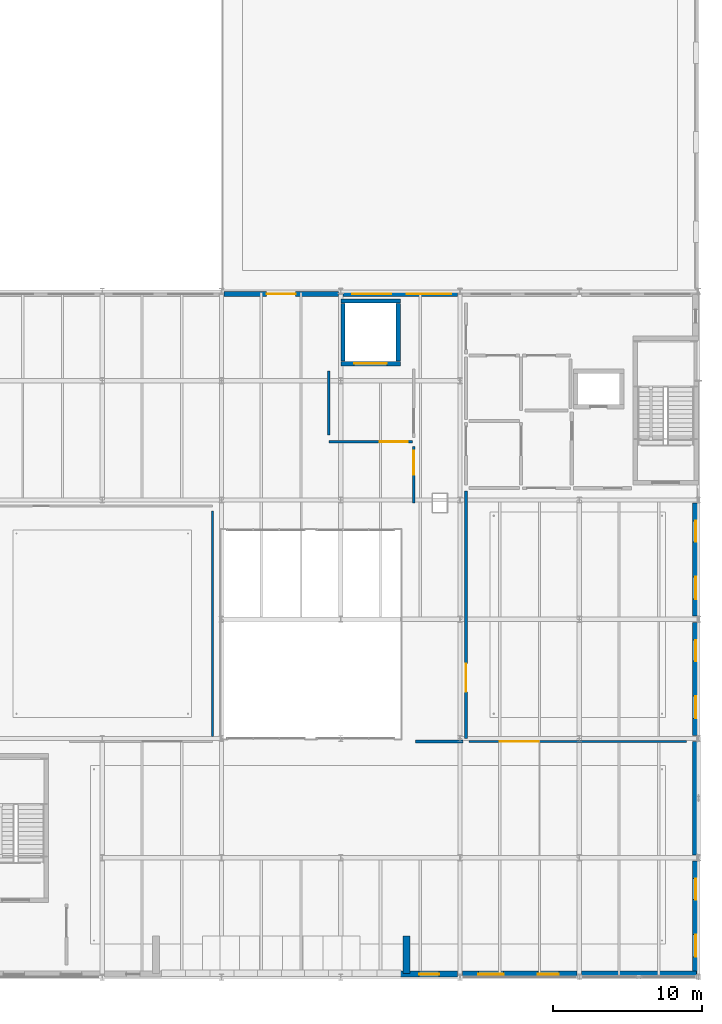
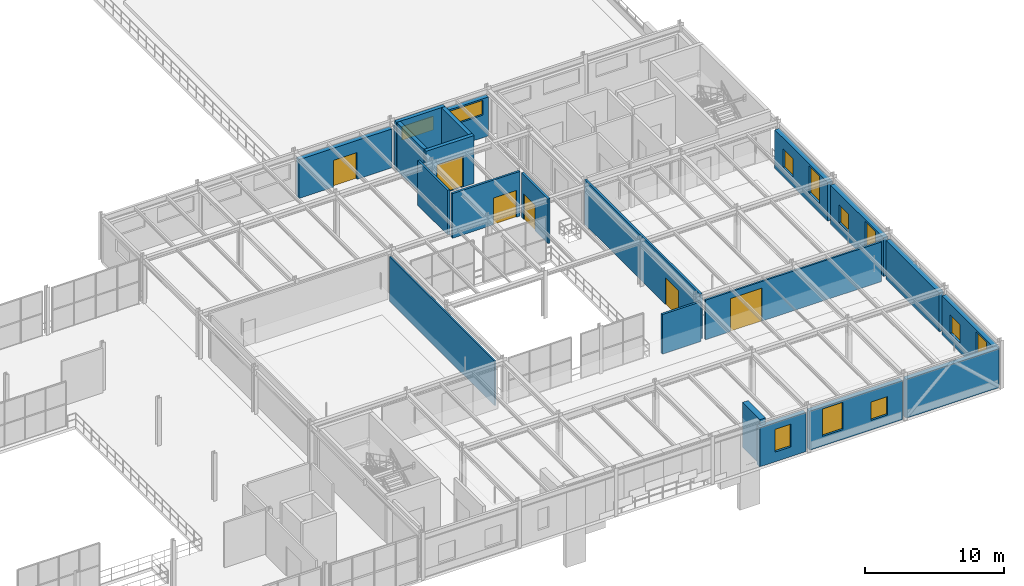
# One storey, part 42 of 67: 21 walls, 11 windows, 6 doors, 17 openings.
"""IFC4 building model written with IfcOpenShell, lengths in metres."""

from ifc_helpers import new_model, si_unit, direction, frame, frame_2d, origin, place, context, subcontext, project, spatial, rectangle, extrude, material, layer, layer_set, type_object, element, fill, save


model = new_model("IFC4")

# Units and contexts
model_context = context("Model", 3, precision=1e-05, world=origin(), true_north=direction((0.0, 1.0)))
body_context = subcontext(model_context, "Body", "Model", "MODEL_VIEW")
ifc_project = project(units=[si_unit("LENGTHUNIT", "METRE"), si_unit("AREAUNIT", "SQUARE_METRE"), si_unit("VOLUMEUNIT", "CUBIC_METRE"), si_unit("PLANEANGLEUNIT", "RADIAN"), si_unit("MASSUNIT", "GRAM", prefix="KILO")], contexts=[model_context])

# Site, building, storey
site_placement = place(None, origin())
site = spatial("IfcSite", under=ifc_project, at=site_placement, CompositionType="ELEMENT")
building_placement = place(site_placement, origin())
building = spatial("IfcBuilding", under=site, at=building_placement, Name="Sundkrona Museum", CompositionType="ELEMENT")
storey_placement = place(building_placement, frame((0.0, 0.0, 21.800048828125)))
storey = spatial("IfcBuildingStorey", under=building, at=storey_placement, Name="L04", CompositionType="ELEMENT", Elevation=21.800048828125)

# Wall, opening, door
ifc_material_1 = material(Name="Concrete C40/50", Category="concrete")
ifc_layer_1 = layer(ifc_material_1, 0.300048828125)
ifc_layer_set_1 = layer_set([ifc_layer_1], Name="Concrete C40/50")
wall_type_1 = type_object("IfcWallType", Name="W-CORE-300", PredefinedType="SHEAR", material=ifc_layer_set_1)
wall_1_placement = place(storey_placement, frame((144.0, 41.14990234375, 0.0), z_axis=(0.0, 0.0, 1.0), x_axis=(1.0, 0.0, 0.0)))
wall_1 = element("IfcWall", 1, at=wall_1_placement, inside=storey, type_object=wall_type_1, Name="L04 GL-1 Lift Shaft Wall South", PredefinedType="SHEAR", context=body_context, shape_type="SweptSolid", body=[
    extrude(rectangle(XDim=4.0, YDim=0.300048828125, at=frame_2d((2.0, 0.0))), origin(), (0.0, 0.0, 1.0), 4.199951171875),
])
opening_1_placement = place(wall_1_placement, frame((0.89990234375, 0.0, 0.0)))
opening_1 = element("IfcOpeningElement", 2, at=opening_1_placement, cuts=wall_1, Name="Opening LD-GL", PredefinedType="OPENING", context=body_context, shape_type="SweptSolid", body=[
    extrude(rectangle(XDim=2.199951171875, YDim=2.699951171875, at=frame_2d((1.10009765625, 1.35009765625))), frame((0.0, 0.159912109375, 0.0), z_axis=(0.0, -1.0, 0.0), x_axis=(1.0, 0.0, 0.0)), (0.0, 0.0, 1.0), 0.320068359375),
])
ifc_material_2 = material(Name="Heavy Stainless Steel Goods Lift Door", Category="steel")
door_type_1 = type_object("IfcDoorType", Name="LD-GL", OperationType="DOUBLE_DOOR_SLIDING", PredefinedType="DOOR", material=ifc_material_2)
door_1_placement = place(opening_1_placement, origin())
door_1 = element("IfcDoor", 3, at=door_1_placement, inside=storey, type_object=door_type_1, Name="L04 Goods Lift Landing Door DR-LIFT-GL-1-L04", OperationType="DOUBLE_DOOR_SLIDING", OverallHeight=2.699951171875, OverallWidth=2.199951171875, PredefinedType="DOOR", context=body_context, shape_type="SweptSolid", body=[
    extrude(rectangle(XDim=2.199951171875, YDim=2.699951171875, at=frame_2d((1.10009765625, 1.35009765625))), frame((0.0, 0.02490234375, 0.0), z_axis=(0.0, -1.0, 0.0), x_axis=(1.0, 0.0, 0.0)), (0.0, 0.0, 1.0), 0.050048828125),
])
fill(opening_1, door_1)

# Walls
wall_2_placement = place(storey_placement, frame((144.0, 45.35009765625, 0.0), z_axis=(0.0, 0.0, 1.0), x_axis=(1.0, 0.0, 0.0)))
element("IfcWall", 4, at=wall_2_placement, inside=storey, type_object=wall_type_1, Name="L04 GL-1 Lift Shaft Wall North", PredefinedType="SHEAR", context=body_context, shape_type="SweptSolid", body=[
    extrude(rectangle(XDim=4.0, YDim=0.300048828125, at=frame_2d((2.0, 0.0))), origin(), (0.0, 0.0, 1.0), 4.199951171875),
])
for number, where, z_axis, x_axis, name in (
    (5, (144.14990234375, 41.31005859375, 0.0), (0.0, 0.0, 1.0), (0.0, 1.0, 0.0), "L04 GL-1 Lift Shaft Wall West"),
    (6, (147.85009765625, 41.31005859375, 0.0), (0.0, 0.0, 1.0), (0.0, 1.0, 0.0), "L04 GL-1 Lift Shaft Wall East"),
):
    element("IfcWall", number, at=place(storey_placement, frame(where, z_axis=z_axis, x_axis=x_axis)), inside=storey, type_object=wall_type_1, Name=name, PredefinedType="SHEAR", context=body_context, shape_type="SweptSolid", body=[
        extrude(rectangle(XDim=3.8798828125, YDim=0.300048828125, at=frame_2d((1.93994140625, 0.0))), origin(), (0.0, 0.0, 1.0), 4.199951171875),
    ])

# Wall, openings, windows
ifc_material_3 = material(Name="Scanian Polychrome Clay Brickwork 390 mm", Category="masonry")
ifc_layer_2 = layer(ifc_material_3, 0.389892578125)
ifc_layer_set_2 = layer_set([ifc_layer_2], Name="Scanian Polychrome Clay Brickwork 390 mm")
wall_type_2 = type_object("IfcWallType", Name="W-EX-390", PredefinedType="SOLIDWALL", material=ifc_layer_set_2)
wall_3_placement = place(storey_placement, frame((159.847900390625, 0.195068359375, 0.0), z_axis=(0.0, 0.0, 1.0), x_axis=(-1.0, 0.0, 0.0)))
wall_3 = element("IfcWall", 7, at=wall_3_placement, inside=storey, type_object=wall_type_2, Name="L04 Facade Wall 0053", PredefinedType="SOLIDWALL", context=body_context, shape_type="SweptSolid", body=[
    extrude(rectangle(XDim=7.69580078125, YDim=0.389892578125, at=frame_2d((3.847900390625, 0.0))), origin(), (0.0, 0.0, 1.0), 3.4150390625),
])
opening_2_placement = place(wall_3_placement, frame((1.22412109375, 0.0, 0.85009765625)))
opening_2 = element("IfcOpeningElement", 8, at=opening_2_placement, cuts=wall_3, Name="Opening WN-LB-140x160", PredefinedType="OPENING", context=body_context, shape_type="SweptSolid", body=[
    extrude(rectangle(XDim=1.39990234375, YDim=1.60009765625, at=frame_2d((0.699951171875, 0.800048828125))), frame((0.0, 0.204833984375, 0.0), z_axis=(0.0, -1.0, 0.0), x_axis=(1.0, 0.0, 0.0)), (0.0, 0.0, 1.0), 0.409912109375),
])
opening_3_placement = place(wall_3_placement, frame((4.922119140625, 0.0, 0.85009765625)))
opening_3 = element("IfcOpeningElement", 9, at=opening_3_placement, cuts=wall_3, Name="Opening WN-GL-170x240", PredefinedType="OPENING", context=body_context, shape_type="SweptSolid", body=[
    extrude(rectangle(XDim=1.699951171875, YDim=2.39990234375, at=frame_2d((0.85009765625, 1.199951171875))), frame((0.0, 0.204833984375, 0.0), z_axis=(0.0, -1.0, 0.0), x_axis=(1.0, 0.0, 0.0)), (0.0, 0.0, 1.0), 0.409912109375),
])
ifc_material_4 = material(Name="Triple Low-E Argon Glazing in Bronze-Anodised Aluminium", Category="aluminium")
window_type_1 = type_object("IfcWindowType", Name="WN-GL-170x240", PartitioningType="DOUBLE_PANEL_VERTICAL", PredefinedType="WINDOW", material=ifc_material_4)
window_1_placement = place(opening_3_placement, origin())
window_1 = element("IfcWindow", 10, at=window_1_placement, inside=storey, type_object=window_type_1, Name="L04 Finned wing wide gallery window 1700x2400 WIN-L04-0071", OverallHeight=2.39990234375, OverallWidth=1.699951171875, PartitioningType="DOUBLE_PANEL_VERTICAL", PredefinedType="WINDOW", context=body_context, shape_type="SweptSolid", body=[
    extrude(rectangle(XDim=1.699951171875, YDim=2.39990234375, at=frame_2d((0.85009765625, 1.199951171875))), frame((0.0, 0.030029296875, 0.0), z_axis=(0.0, -1.0, 0.0), x_axis=(1.0, 0.0, 0.0)), (0.0, 0.0, 1.0), 0.06005859375),
])
fill(opening_3, window_1)
window_type_2 = type_object("IfcWindowType", Name="WN-LB-140x160", PartitioningType="SINGLE_PANEL", PredefinedType="WINDOW", material=ifc_material_4)
window_2_placement = place(opening_2_placement, origin())
window_2 = element("IfcWindow", 11, at=window_2_placement, inside=storey, type_object=window_type_2, Name="L04 Curatorial study window 1400x1600 WIN-L04-0070", OverallHeight=1.60009765625, OverallWidth=1.39990234375, PartitioningType="SINGLE_PANEL", PredefinedType="WINDOW", context=body_context, shape_type="SweptSolid", body=[
    extrude(rectangle(XDim=1.39990234375, YDim=1.60009765625, at=frame_2d((0.699951171875, 0.800048828125))), frame((0.0, 0.030029296875, 0.0), z_axis=(0.0, -1.0, 0.0), x_axis=(1.0, 0.0, 0.0)), (0.0, 0.0, 1.0), 0.06005859375),
])
fill(opening_2, window_2)

# Wall
wall_4_placement = place(storey_placement, frame((167.847900390625, 0.195068359375, 0.0), z_axis=(0.0, 0.0, 1.0), x_axis=(-1.0, 0.0, 0.0)))
element("IfcWall", 12, at=wall_4_placement, inside=storey, type_object=wall_type_2, Name="L04 Facade Wall 0054", PredefinedType="SOLIDWALL", context=body_context, shape_type="SweptSolid", body=[
    extrude(rectangle(XDim=7.69580078125, YDim=0.389892578125, at=frame_2d((3.847900390625, 0.0))), origin(), (0.0, 0.0, 1.0), 3.4150390625),
])

# Wall, opening, window
wall_5_placement = place(storey_placement, frame((151.847900390625, 0.195068359375, 0.0), z_axis=(0.0, 0.0, 1.0), x_axis=(-1.0, 0.0, 0.0)))
wall_5 = element("IfcWall", 13, at=wall_5_placement, inside=storey, type_object=wall_type_2, Name="L04 Facade Wall 0055", PredefinedType="SOLIDWALL", context=body_context, shape_type="SweptSolid", body=[
    extrude(rectangle(XDim=3.837890625, YDim=0.389892578125, at=frame_2d((1.9189453125, 0.0))), origin(), (0.0, 0.0, 1.0), 3.4150390625),
])
opening_4_placement = place(wall_5_placement, frame((1.243896484375, 0.0, 0.85009765625)))
opening_4 = element("IfcOpeningElement", 14, at=opening_4_placement, cuts=wall_5, Name="Opening WN-OC-135x200", PredefinedType="OPENING", context=body_context, shape_type="SweptSolid", body=[
    extrude(rectangle(XDim=1.35009765625, YDim=2.0, at=frame_2d((0.675048828125, 1.0))), frame((0.0, 0.204833984375, 0.0), z_axis=(0.0, -1.0, 0.0), x_axis=(1.0, 0.0, 0.0)), (0.0, 0.0, 1.0), 0.409912109375),
])
window_type_3 = type_object("IfcWindowType", Name="WN-OC-135x200", PartitioningType="SINGLE_PANEL", PredefinedType="WINDOW", material=ifc_material_4)
window_3_placement = place(opening_4_placement, origin())
window_3 = element("IfcWindow", 15, at=window_3_placement, inside=storey, type_object=window_type_3, Name="L04 Oculus cheek-reveal side window 1350x2000 WIN-L04-0072", OverallHeight=2.0, OverallWidth=1.35009765625, PartitioningType="SINGLE_PANEL", PredefinedType="WINDOW", context=body_context, shape_type="SweptSolid", body=[
    extrude(rectangle(XDim=1.35009765625, YDim=2.0, at=frame_2d((0.675048828125, 1.0))), frame((0.0, 0.030029296875, 0.0), z_axis=(0.0, -1.0, 0.0), x_axis=(1.0, 0.0, 0.0)), (0.0, 0.0, 1.0), 0.06005859375),
])
fill(opening_4, window_3)

# Wall, openings, windows
wall_6_placement = place(storey_placement, frame((167.804931640625, 7.798095703125, 0.0), z_axis=(0.0, 0.0, 1.0), x_axis=(0.0, -1.0, 0.0)))
wall_6 = element("IfcWall", 16, at=wall_6_placement, inside=storey, type_object=wall_type_2, Name="L04 Facade Wall 0056", PredefinedType="SOLIDWALL", context=body_context, shape_type="SweptSolid", body=[
    extrude(rectangle(XDim=7.59619140625, YDim=0.389892578125, at=frame_2d((3.798095703125, 0.0))), origin(), (0.0, 0.0, 1.0), 3.4150390625),
])
opening_5_placement = place(wall_6_placement, frame((1.198974609375, 0.0, 0.85009765625)))
opening_5 = element("IfcOpeningElement", 17, at=opening_5_placement, cuts=wall_6, Name="Opening WN-LB-140x160", PredefinedType="OPENING", context=body_context, shape_type="SweptSolid", body=[
    extrude(rectangle(XDim=1.39990234375, YDim=1.60009765625, at=frame_2d((0.699951171875, 0.800048828125))), frame((0.0, 0.204833984375, 0.0), z_axis=(0.0, -1.0, 0.0), x_axis=(1.0, 0.0, 0.0)), (0.0, 0.0, 1.0), 0.409912109375),
])
opening_6_placement = place(wall_6_placement, frame((4.947021484375, 0.0, 0.85009765625)))
opening_6 = element("IfcOpeningElement", 18, at=opening_6_placement, cuts=wall_6, Name="Opening WN-GL-150x240", PredefinedType="OPENING", context=body_context, shape_type="SweptSolid", body=[
    extrude(rectangle(XDim=1.5, YDim=2.39990234375, at=frame_2d((0.75, 1.199951171875))), frame((0.0, 0.204833984375, 0.0), z_axis=(0.0, -1.0, 0.0), x_axis=(1.0, 0.0, 0.0)), (0.0, 0.0, 1.0), 0.409912109375),
])
window_type_4 = type_object("IfcWindowType", Name="WN-GL-150x240", PartitioningType="SINGLE_PANEL", PredefinedType="WINDOW", material=ifc_material_4)
window_4_placement = place(opening_6_placement, origin())
window_4 = element("IfcWindow", 19, at=window_4_placement, inside=storey, type_object=window_type_4, Name="L04 Finned wing deep-reveal gallery window 1500x2400 WIN-L04-0074", OverallHeight=2.39990234375, OverallWidth=1.5, PartitioningType="SINGLE_PANEL", PredefinedType="WINDOW", context=body_context, shape_type="SweptSolid", body=[
    extrude(rectangle(XDim=1.5, YDim=2.39990234375, at=frame_2d((0.75, 1.199951171875))), frame((0.0, 0.030029296875, 0.0), z_axis=(0.0, -1.0, 0.0), x_axis=(1.0, 0.0, 0.0)), (0.0, 0.0, 1.0), 0.06005859375),
])
fill(opening_6, window_4)
window_5_placement = place(opening_5_placement, origin())
window_5 = element("IfcWindow", 20, at=window_5_placement, inside=storey, type_object=window_type_2, Name="L04 Curatorial study window 1400x1600 WIN-L04-0073", OverallHeight=1.60009765625, OverallWidth=1.39990234375, PartitioningType="SINGLE_PANEL", PredefinedType="WINDOW", context=body_context, shape_type="SweptSolid", body=[
    extrude(rectangle(XDim=1.39990234375, YDim=1.60009765625, at=frame_2d((0.699951171875, 0.800048828125))), frame((0.0, 0.030029296875, 0.0), z_axis=(0.0, -1.0, 0.0), x_axis=(1.0, 0.0, 0.0)), (0.0, 0.0, 1.0), 0.06005859375),
])
fill(opening_5, window_5)

# Wall
wall_7_placement = place(storey_placement, frame((167.804931640625, 15.798095703125, 0.0), z_axis=(0.0, 0.0, 1.0), x_axis=(0.0, -1.0, 0.0)))
element("IfcWall", 21, at=wall_7_placement, inside=storey, type_object=wall_type_2, Name="L04 Facade Wall 0057", PredefinedType="SOLIDWALL", context=body_context, shape_type="SweptSolid", body=[
    extrude(rectangle(XDim=7.59619140625, YDim=0.389892578125, at=frame_2d((3.798095703125, 0.0))), origin(), (0.0, 0.0, 1.0), 3.4150390625),
])

# Wall, openings, windows
wall_8_placement = place(storey_placement, frame((167.804931640625, 23.798095703125, 0.0), z_axis=(0.0, 0.0, 1.0), x_axis=(0.0, -1.0, 0.0)))
wall_8 = element("IfcWall", 22, at=wall_8_placement, inside=storey, type_object=wall_type_2, Name="L04 Facade Wall 0058", PredefinedType="SOLIDWALL", context=body_context, shape_type="SweptSolid", body=[
    extrude(rectangle(XDim=7.59619140625, YDim=0.389892578125, at=frame_2d((3.798095703125, 0.0))), origin(), (0.0, 0.0, 1.0), 3.4150390625),
])
opening_7_placement = place(wall_8_placement, frame((1.198974609375, 0.0, 0.85009765625)))
opening_7 = element("IfcOpeningElement", 23, at=opening_7_placement, cuts=wall_8, Name="Opening WN-LB-140x160", PredefinedType="OPENING", context=body_context, shape_type="SweptSolid", body=[
    extrude(rectangle(XDim=1.39990234375, YDim=1.60009765625, at=frame_2d((0.699951171875, 0.800048828125))), frame((0.0, 0.204833984375, 0.0), z_axis=(0.0, -1.0, 0.0), x_axis=(1.0, 0.0, 0.0)), (0.0, 0.0, 1.0), 0.409912109375),
])
opening_8_placement = place(wall_8_placement, frame((4.947021484375, 0.0, 0.85009765625)))
opening_8 = element("IfcOpeningElement", 24, at=opening_8_placement, cuts=wall_8, Name="Opening WN-GL-150x240", PredefinedType="OPENING", context=body_context, shape_type="SweptSolid", body=[
    extrude(rectangle(XDim=1.5, YDim=2.39990234375, at=frame_2d((0.75, 1.199951171875))), frame((0.0, 0.204833984375, 0.0), z_axis=(0.0, -1.0, 0.0), x_axis=(1.0, 0.0, 0.0)), (0.0, 0.0, 1.0), 0.409912109375),
])
window_6_placement = place(opening_8_placement, origin())
window_6 = element("IfcWindow", 25, at=window_6_placement, inside=storey, type_object=window_type_4, Name="L04 Finned wing deep-reveal gallery window 1500x2400 WIN-L04-0076", OverallHeight=2.39990234375, OverallWidth=1.5, PartitioningType="SINGLE_PANEL", PredefinedType="WINDOW", context=body_context, shape_type="SweptSolid", body=[
    extrude(rectangle(XDim=1.5, YDim=2.39990234375, at=frame_2d((0.75, 1.199951171875))), frame((0.0, 0.030029296875, 0.0), z_axis=(0.0, -1.0, 0.0), x_axis=(1.0, 0.0, 0.0)), (0.0, 0.0, 1.0), 0.06005859375),
])
fill(opening_8, window_6)
window_7_placement = place(opening_7_placement, origin())
window_7 = element("IfcWindow", 26, at=window_7_placement, inside=storey, type_object=window_type_2, Name="L04 Curatorial study window 1400x1600 WIN-L04-0075", OverallHeight=1.60009765625, OverallWidth=1.39990234375, PartitioningType="SINGLE_PANEL", PredefinedType="WINDOW", context=body_context, shape_type="SweptSolid", body=[
    extrude(rectangle(XDim=1.39990234375, YDim=1.60009765625, at=frame_2d((0.699951171875, 0.800048828125))), frame((0.0, 0.030029296875, 0.0), z_axis=(0.0, -1.0, 0.0), x_axis=(1.0, 0.0, 0.0)), (0.0, 0.0, 1.0), 0.06005859375),
])
fill(opening_7, window_7)

wall_9_placement = place(storey_placement, frame((167.804931640625, 31.798095703125, 0.0), z_axis=(0.0, 0.0, 1.0), x_axis=(0.0, -1.0, 0.0)))
wall_9 = element("IfcWall", 27, at=wall_9_placement, inside=storey, type_object=wall_type_2, Name="L04 Facade Wall 0059", PredefinedType="SOLIDWALL", context=body_context, shape_type="SweptSolid", body=[
    extrude(rectangle(XDim=7.59619140625, YDim=0.389892578125, at=frame_2d((3.798095703125, 0.0))), origin(), (0.0, 0.0, 1.0), 3.4150390625),
])
opening_9_placement = place(wall_9_placement, frame((1.198974609375, 0.0, 0.85009765625)))
opening_9 = element("IfcOpeningElement", 28, at=opening_9_placement, cuts=wall_9, Name="Opening WN-LB-140x160", PredefinedType="OPENING", context=body_context, shape_type="SweptSolid", body=[
    extrude(rectangle(XDim=1.39990234375, YDim=1.60009765625, at=frame_2d((0.699951171875, 0.800048828125))), frame((0.0, 0.204833984375, 0.0), z_axis=(0.0, -1.0, 0.0), x_axis=(1.0, 0.0, 0.0)), (0.0, 0.0, 1.0), 0.409912109375),
])
opening_10_placement = place(wall_9_placement, frame((4.947021484375, 0.0, 0.85009765625)))
opening_10 = element("IfcOpeningElement", 29, at=opening_10_placement, cuts=wall_9, Name="Opening WN-GL-150x240", PredefinedType="OPENING", context=body_context, shape_type="SweptSolid", body=[
    extrude(rectangle(XDim=1.5, YDim=2.39990234375, at=frame_2d((0.75, 1.199951171875))), frame((0.0, 0.204833984375, 0.0), z_axis=(0.0, -1.0, 0.0), x_axis=(1.0, 0.0, 0.0)), (0.0, 0.0, 1.0), 0.409912109375),
])
window_8_placement = place(opening_10_placement, origin())
window_8 = element("IfcWindow", 30, at=window_8_placement, inside=storey, type_object=window_type_4, Name="L04 Finned wing deep-reveal gallery window 1500x2400 WIN-L04-0078", OverallHeight=2.39990234375, OverallWidth=1.5, PartitioningType="SINGLE_PANEL", PredefinedType="WINDOW", context=body_context, shape_type="SweptSolid", body=[
    extrude(rectangle(XDim=1.5, YDim=2.39990234375, at=frame_2d((0.75, 1.199951171875))), frame((0.0, 0.030029296875, 0.0), z_axis=(0.0, -1.0, 0.0), x_axis=(1.0, 0.0, 0.0)), (0.0, 0.0, 1.0), 0.06005859375),
])
fill(opening_10, window_8)
window_9_placement = place(opening_9_placement, origin())
window_9 = element("IfcWindow", 31, at=window_9_placement, inside=storey, type_object=window_type_2, Name="L04 Curatorial study window 1400x1600 WIN-L04-0077", OverallHeight=1.60009765625, OverallWidth=1.39990234375, PartitioningType="SINGLE_PANEL", PredefinedType="WINDOW", context=body_context, shape_type="SweptSolid", body=[
    extrude(rectangle(XDim=1.39990234375, YDim=1.60009765625, at=frame_2d((0.699951171875, 0.800048828125))), frame((0.0, 0.030029296875, 0.0), z_axis=(0.0, -1.0, 0.0), x_axis=(1.0, 0.0, 0.0)), (0.0, 0.0, 1.0), 0.06005859375),
])
fill(opening_9, window_9)

# Walls
ifc_material_5 = material(Name="Danian Limestone Ashlar Masonry 480 mm", Category="masonry")
ifc_layer_3 = layer(ifc_material_5, 0.47998046875)
ifc_layer_set_3 = layer_set([ifc_layer_3], Name="Danian Limestone Ashlar Masonry 480 mm")
wall_type_3 = type_object("IfcWallType", Name="W-LIM-480", PredefinedType="SOLIDWALL", material=ifc_layer_set_3)
wall_10_placement = place(storey_placement, frame((148.39990234375, 0.239990234375, 0.0), z_axis=(0.0, 0.0, 1.0), x_axis=(0.0, 1.0, 0.0)))
element("IfcWall", 32, at=wall_10_placement, inside=storey, type_object=wall_type_3, Name="L04 Oculus Deep Reveal East Wall", PredefinedType="SOLIDWALL", context=body_context, shape_type="SweptSolid", body=[
    extrude(rectangle(XDim=2.510009765625, YDim=0.47998046875, at=frame_2d((1.2548828125, 0.0))), origin(), (0.0, 0.0, 1.0), 3.93994140625),
])
ifc_material_6 = material(Name="Gypsum metal-stud Partition Board 125 mm", Category="other")
ifc_layer_4 = layer(ifc_material_6, 0.125)
ifc_layer_set_4 = layer_set([ifc_layer_4], Name="Gypsum metal-stud Partition Board 125 mm")
wall_type_4 = type_object("IfcWallType", Name="W-PT-125", PredefinedType="PARTITIONING", material=ifc_layer_set_4)
wall_11_placement = place(storey_placement, frame((135.39990234375, 16.14990234375, 0.0), z_axis=(0.0, 0.0, 1.0), x_axis=(0.0, 1.0, 0.0)))
element("IfcWall", 33, at=wall_11_placement, inside=storey, type_object=wall_type_4, Name="L04 Baltic Modernism Cabinet Enclosure Wall E", PredefinedType="PARTITIONING", context=body_context, shape_type="SweptSolid", body=[
    extrude(rectangle(XDim=15.10009765625, YDim=0.125, at=frame_2d((7.550048828125, 0.0))), origin(), (0.0, 0.0, 1.0), 3.919921875),
])

# Wall, opening, door
ifc_material_7 = material(Name="Acoustic Gypsum Partition Board 150 mm", Category="other")
ifc_layer_5 = layer(ifc_material_7, 0.14990234375)
ifc_layer_set_5 = layer_set([ifc_layer_5], Name="Acoustic Gypsum Partition Board 150 mm")
wall_type_5 = type_object("IfcWallType", Name="W-PT-150", PredefinedType="PARTITIONING", material=ifc_layer_set_5)
wall_12_placement = place(storey_placement, frame((152.60009765625, 15.800048828125, 0.0), z_axis=(0.0, 0.0, 1.0), x_axis=(1.0, 0.0, 0.0)))
wall_12 = element("IfcWall", 34, at=wall_12_placement, inside=storey, type_object=wall_type_5, Name="L04 Partition Nordic Landscape Painting Gallery / Contemporary Visual Arts Gallery", PredefinedType="PARTITIONING", context=body_context, shape_type="SweptSolid", body=[
    extrude(rectangle(XDim=14.599853515625, YDim=0.14990234375, at=frame_2d((7.2998046875, 0.0))), origin(), (0.0, 0.0, 1.0), 3.47998046875),
])
opening_11_placement = place(wall_12_placement, frame((2.081298828125, 0.0, 0.0)))
opening_11 = element("IfcOpeningElement", 35, at=opening_11_placement, cuts=wall_12, Name="Opening D-GAL-260", PredefinedType="OPENING", context=body_context, shape_type="SweptSolid", body=[
    extrude(rectangle(XDim=2.60009765625, YDim=2.89990234375, at=frame_2d((1.300048828125, 1.449951171875))), frame((0.0, 0.0849609375, 0.0), z_axis=(0.0, -1.0, 0.0), x_axis=(1.0, 0.0, 0.0)), (0.0, 0.0, 1.0), 0.169921875),
])
ifc_material_8 = material(Name="European Oak and Bronze Portal", Category="other")
door_type_2 = type_object("IfcDoorType", Name="D-GAL-260", OperationType="DOUBLE_DOOR_DOUBLE_SWING", PredefinedType="DOOR", material=ifc_material_8)
door_2_placement = place(opening_11_placement, origin())
door_2 = element("IfcDoor", 36, at=door_2_placement, inside=storey, type_object=door_type_2, Name="L04 Interior Door DR-ADJ-L04-0198", OperationType="DOUBLE_DOOR_DOUBLE_SWING", OverallHeight=2.89990234375, OverallWidth=2.60009765625, PredefinedType="DOOR", context=body_context, shape_type="SweptSolid", body=[
    extrude(rectangle(XDim=2.60009765625, YDim=2.89990234375, at=frame_2d((1.300048828125, 1.449951171875))), frame((0.0, 0.02490234375, 0.0), z_axis=(0.0, -1.0, 0.0), x_axis=(1.0, 0.0, 0.0)), (0.0, 0.0, 1.0), 0.050048828125),
])
fill(opening_11, door_2)

ifc_material_9 = material(Name="Fire-rated Gypsum Partition Board 175 mm", Category="other")
ifc_layer_6 = layer(ifc_material_9, 0.175048828125)
ifc_layer_set_6 = layer_set([ifc_layer_6], Name="Fire-rated Gypsum Partition Board 175 mm")
wall_type_6 = type_object("IfcWallType", Name="W-PT-175", PredefinedType="PARTITIONING", material=ifc_layer_set_6)
wall_13_placement = place(storey_placement, frame((143.199951171875, 35.89990234375, 0.0), z_axis=(0.0, 0.0, 1.0), x_axis=(1.0, 0.0, 0.0)))
wall_13 = element("IfcWall", 37, at=wall_13_placement, inside=storey, type_object=wall_type_6, Name="L04 Partition Goods Lift Lobby / Atrium Crown Rim Concourse", PredefinedType="PARTITIONING", context=body_context, shape_type="SweptSolid", body=[
    extrude(rectangle(XDim=5.60009765625, YDim=0.175048828125, at=frame_2d((2.800048828125, 0.0))), origin(), (0.0, 0.0, 1.0), 3.919921875),
])
opening_12_placement = place(wall_13_placement, frame((3.39990234375, 0.0, 0.0)))
opening_12 = element("IfcOpeningElement", 38, at=opening_12_placement, cuts=wall_13, Name="Opening D-AUD-190", PredefinedType="OPENING", context=body_context, shape_type="SweptSolid", body=[
    extrude(rectangle(XDim=1.89990234375, YDim=2.35009765625, at=frame_2d((0.949951171875, 1.175048828125))), frame((0.0, 0.097412109375, 0.0), z_axis=(0.0, -1.0, 0.0), x_axis=(1.0, 0.0, 0.0)), (0.0, 0.0, 1.0), 0.195068359375),
])
ifc_material_10 = material(Name="Acoustic Oak Fire Door", Category="other")
door_type_3 = type_object("IfcDoorType", Name="D-AUD-190", OperationType="DOUBLE_DOOR_SINGLE_SWING", PredefinedType="DOOR", material=ifc_material_10)
door_3_placement = place(opening_12_placement, origin())
door_3 = element("IfcDoor", 39, at=door_3_placement, inside=storey, type_object=door_type_3, Name="L04 Interior Door DR-ADJ-L04-0182", OperationType="DOUBLE_DOOR_SINGLE_SWING", OverallHeight=2.35009765625, OverallWidth=1.89990234375, PredefinedType="DOOR", context=body_context, shape_type="SweptSolid", body=[
    extrude(rectangle(XDim=1.89990234375, YDim=2.35009765625, at=frame_2d((0.949951171875, 1.175048828125))), frame((0.0, 0.02490234375, 0.0), z_axis=(0.0, -1.0, 0.0), x_axis=(1.0, 0.0, 0.0)), (0.0, 0.0, 1.0), 0.050048828125),
])
fill(opening_12, door_3)

wall_14_placement = place(storey_placement, frame((148.89990234375, 31.800048828125, 0.0), z_axis=(0.0, 0.0, 1.0), x_axis=(0.0, 1.0, 0.0)))
wall_14 = element("IfcWall", 40, at=wall_14_placement, inside=storey, type_object=wall_type_6, Name="L04 Partition Atrium Crown Rim Concourse / Main Hall Level 04 Corridor", PredefinedType="PARTITIONING", context=body_context, shape_type="SweptSolid", body=[
    extrude(rectangle(XDim=3.800048828125, YDim=0.175048828125, at=frame_2d((1.89990234375, 0.0))), origin(), (0.0, 0.0, 1.0), 3.919921875),
])
opening_13_placement = place(wall_14_placement, frame((1.89990234375, 0.0, 0.0)))
opening_13 = element("IfcOpeningElement", 41, at=opening_13_placement, cuts=wall_14, Name="Opening D-CMP-160", PredefinedType="OPENING", context=body_context, shape_type="SweptSolid", body=[
    extrude(rectangle(XDim=1.60009765625, YDim=2.25, at=frame_2d((0.800048828125, 1.125))), frame((0.0, 0.097412109375, 0.0), z_axis=(0.0, -1.0, 0.0), x_axis=(1.0, 0.0, 0.0)), (0.0, 0.0, 1.0), 0.195068359375),
])
ifc_material_11 = material(Name="Glazed Steel Fire Screen Door", Category="steel")
door_type_4 = type_object("IfcDoorType", Name="D-CMP-160", OperationType="DOUBLE_DOOR_SINGLE_SWING", PredefinedType="DOOR", material=ifc_material_11)
door_4_placement = place(opening_13_placement, origin())
door_4 = element("IfcDoor", 42, at=door_4_placement, inside=storey, type_object=door_type_4, Name="L04 Interior Door DR-ADJ-L04-0193", OperationType="DOUBLE_DOOR_SINGLE_SWING", OverallHeight=2.25, OverallWidth=1.60009765625, PredefinedType="DOOR", context=body_context, shape_type="SweptSolid", body=[
    extrude(rectangle(XDim=1.60009765625, YDim=2.25, at=frame_2d((0.800048828125, 1.125))), frame((0.0, 0.02490234375, 0.0), z_axis=(0.0, -1.0, 0.0), x_axis=(1.0, 0.0, 0.0)), (0.0, 0.0, 1.0), 0.050048828125),
])
fill(opening_13, door_4)

# Wall
wall_15_placement = place(storey_placement, frame((149.0, 15.800048828125, 0.0), z_axis=(0.0, 0.0, 1.0), x_axis=(1.0, 0.0, 0.0)))
element("IfcWall", 43, at=wall_15_placement, inside=storey, type_object=wall_type_6, Name="L04 Partition Main Hall Level 04 Corridor / Nordic Landscape Painting Gallery", PredefinedType="PARTITIONING", context=body_context, shape_type="SweptSolid", body=[
    extrude(rectangle(XDim=3.199951171875, YDim=0.175048828125, at=frame_2d((1.60009765625, 0.0))), origin(), (0.0, 0.0, 1.0), 3.47998046875),
])

# Wall, opening, door
wall_16_placement = place(storey_placement, frame((152.39990234375, 16.0, 0.0), z_axis=(0.0, 0.0, 1.0), x_axis=(0.0, 1.0, 0.0)))
wall_16 = element("IfcWall", 44, at=wall_16_placement, inside=storey, type_object=wall_type_6, Name="L04 Partition Main Hall Level 04 Corridor / Contemporary Visual Arts Gallery", PredefinedType="PARTITIONING", context=body_context, shape_type="SweptSolid", body=[
    extrude(rectangle(XDim=16.60009765625, YDim=0.175048828125, at=frame_2d((8.300048828125, 0.0))), origin(), (0.0, 0.0, 1.0), 3.919921875),
])
opening_14_placement = place(wall_16_placement, frame((3.1201171875, 0.0, 0.0)))
opening_14 = element("IfcOpeningElement", 45, at=opening_14_placement, cuts=wall_16, Name="Opening D-AUD-190", PredefinedType="OPENING", context=body_context, shape_type="SweptSolid", body=[
    extrude(rectangle(XDim=1.89990234375, YDim=2.35009765625, at=frame_2d((0.949951171875, 1.175048828125))), frame((0.0, 0.097412109375, 0.0), z_axis=(0.0, -1.0, 0.0), x_axis=(1.0, 0.0, 0.0)), (0.0, 0.0, 1.0), 0.195068359375),
])
door_5_placement = place(opening_14_placement, origin())
door_5 = element("IfcDoor", 46, at=door_5_placement, inside=storey, type_object=door_type_3, Name="L04 Interior Door DR-ADJ-L04-0196", OperationType="DOUBLE_DOOR_SINGLE_SWING", OverallHeight=2.35009765625, OverallWidth=1.89990234375, PredefinedType="DOOR", context=body_context, shape_type="SweptSolid", body=[
    extrude(rectangle(XDim=1.89990234375, YDim=2.35009765625, at=frame_2d((0.949951171875, 1.175048828125))), frame((0.0, 0.02490234375, 0.0), z_axis=(0.0, -1.0, 0.0), x_axis=(1.0, 0.0, 0.0)), (0.0, 0.0, 1.0), 0.050048828125),
])
fill(opening_14, door_5)

# Wall
wall_17_placement = place(storey_placement, frame((143.199951171875, 36.35009765625, 0.0), z_axis=(0.0, 0.0, 1.0), x_axis=(0.0, 1.0, 0.0)))
element("IfcWall", 47, at=wall_17_placement, inside=storey, type_object=wall_type_6, Name="L04 Goods Lift Lobby Enclosure Wall W", PredefinedType="PARTITIONING", context=body_context, shape_type="SweptSolid", body=[
    extrude(rectangle(XDim=4.2998046875, YDim=0.175048828125, at=frame_2d((2.14990234375, 0.0))), origin(), (0.0, 0.0, 1.0), 3.919921875),
])

# Wall, opening, door
ifc_material_12 = material(Name="Vitrified Stoneware Mosaic Cladding 360 mm", Category="masonry")
ifc_layer_7 = layer(ifc_material_12, 0.360107421875)
ifc_layer_set_7 = layer_set([ifc_layer_7], Name="Vitrified Stoneware Mosaic Cladding 360 mm")
wall_type_7 = type_object("IfcWallType", Name="W-SP-360", PredefinedType="ELEMENTEDWALL", material=ifc_layer_set_7)
wall_18_placement = place(storey_placement, frame((136.152099609375, 45.820068359375, 0.0), z_axis=(0.0, 0.0, 1.0), x_axis=(1.0, 0.0, 0.0)))
wall_18 = element("IfcWall", 48, at=wall_18_placement, inside=storey, type_object=wall_type_7, Name="L04 Facade Wall 0063", PredefinedType="ELEMENTEDWALL", context=body_context, shape_type="SweptSolid", body=[
    extrude(rectangle(XDim=7.69580078125, YDim=0.360107421875, at=frame_2d((3.847900390625, 0.0))), origin(), (0.0, 0.0, 1.0), 3.4150390625),
])
opening_15_placement = place(wall_18_placement, frame((2.873046875, 0.0, 0.0)))
opening_15 = element("IfcOpeningElement", 49, at=opening_15_placement, cuts=wall_18, Name="Opening D-TR-195", PredefinedType="OPENING", context=body_context, shape_type="SweptSolid", body=[
    extrude(rectangle(XDim=1.949951171875, YDim=2.35009765625, at=frame_2d((0.97509765625, 1.175048828125))), frame((0.0, 0.18994140625, 0.0), z_axis=(0.0, -1.0, 0.0), x_axis=(1.0, 0.0, 0.0)), (0.0, 0.0, 1.0), 0.380126953125),
])
ifc_material_13 = material(Name="Triple-Glazed Aluminium Terrace Door", Category="aluminium")
door_type_5 = type_object("IfcDoorType", Name="D-TR-195", OperationType="DOUBLE_DOOR_SINGLE_SWING", PredefinedType="DOOR", material=ifc_material_13)
door_6_placement = place(opening_15_placement, origin())
door_6 = element("IfcDoor", 50, at=door_6_placement, inside=storey, type_object=door_type_5, Name="L04 Exterior Door D-TR-195 DR-L04-TR5-136", OperationType="DOUBLE_DOOR_SINGLE_SWING", OverallHeight=2.35009765625, OverallWidth=1.949951171875, PredefinedType="DOOR", context=body_context, shape_type="SweptSolid", body=[
    extrude(rectangle(XDim=1.949951171875, YDim=2.35009765625, at=frame_2d((0.97509765625, 1.175048828125))), frame((0.0, 0.02490234375, 0.0), z_axis=(0.0, -1.0, 0.0), x_axis=(1.0, 0.0, 0.0)), (0.0, 0.0, 1.0), 0.050048828125),
])
fill(opening_15, door_6)

# Wall, openings, windows
wall_19_placement = place(storey_placement, frame((144.152099609375, 45.820068359375, 0.0), z_axis=(0.0, 0.0, 1.0), x_axis=(1.0, 0.0, 0.0)))
wall_19 = element("IfcWall", 51, at=wall_19_placement, inside=storey, type_object=wall_type_7, Name="L04 Facade Wall 0064", PredefinedType="ELEMENTEDWALL", context=body_context, shape_type="SweptSolid", body=[
    extrude(rectangle(XDim=7.69580078125, YDim=0.360107421875, at=frame_2d((3.847900390625, 0.0))), origin(), (0.0, 0.0, 1.0), 3.4150390625),
])
opening_16_placement = place(wall_19_placement, frame((0.6240234375, 0.0, 2.0)))
opening_16 = element("IfcOpeningElement", 52, at=opening_16_placement, cuts=wall_19, Name="Opening WN-CL-260x120", PredefinedType="OPENING", context=body_context, shape_type="SweptSolid", body=[
    extrude(rectangle(XDim=2.60009765625, YDim=1.199951171875, at=frame_2d((1.300048828125, 0.60009765625))), frame((0.0, 0.18994140625, 0.0), z_axis=(0.0, -1.0, 0.0), x_axis=(1.0, 0.0, 0.0)), (0.0, 0.0, 1.0), 0.380126953125),
])
opening_17_placement = place(wall_19_placement, frame((4.27197265625, 0.0, 1.97509765625)))
opening_17 = element("IfcOpeningElement", 53, at=opening_17_placement, cuts=wall_19, Name="Opening WN-CL-300x130", PredefinedType="OPENING", context=body_context, shape_type="SweptSolid", body=[
    extrude(rectangle(XDim=3.0, YDim=1.300048828125, at=frame_2d((1.5, 0.64990234375))), frame((0.0, 0.18994140625, 0.0), z_axis=(0.0, -1.0, 0.0), x_axis=(1.0, 0.0, 0.0)), (0.0, 0.0, 1.0), 0.380126953125),
])
window_type_5 = type_object("IfcWindowType", Name="WN-CL-260x120", PartitioningType="DOUBLE_PANEL_HORIZONTAL", PredefinedType="WINDOW", material=ifc_material_4)
window_10_placement = place(opening_16_placement, origin())
window_10 = element("IfcWindow", 54, at=window_10_placement, inside=storey, type_object=window_type_5, Name="L04 High-level gallery clerestory ribbon window 2600x1200 WIN-L04-0084", OverallHeight=1.199951171875, OverallWidth=2.60009765625, PartitioningType="DOUBLE_PANEL_HORIZONTAL", PredefinedType="WINDOW", context=body_context, shape_type="SweptSolid", body=[
    extrude(rectangle(XDim=2.60009765625, YDim=1.199951171875, at=frame_2d((1.300048828125, 0.60009765625))), frame((0.0, 0.030029296875, 0.0), z_axis=(0.0, -1.0, 0.0), x_axis=(1.0, 0.0, 0.0)), (0.0, 0.0, 1.0), 0.06005859375),
])
fill(opening_16, window_10)
window_type_6 = type_object("IfcWindowType", Name="WN-CL-300x130", PartitioningType="TRIPLE_PANEL_HORIZONTAL", PredefinedType="WINDOW", material=ifc_material_4)
window_11_placement = place(opening_17_placement, origin())
window_11 = element("IfcWindow", 55, at=window_11_placement, inside=storey, type_object=window_type_6, Name="L04 Exhibition clerestory window 3000x1300 WIN-L04-0085", OverallHeight=1.300048828125, OverallWidth=3.0, PartitioningType="TRIPLE_PANEL_HORIZONTAL", PredefinedType="WINDOW", context=body_context, shape_type="SweptSolid", body=[
    extrude(rectangle(XDim=3.0, YDim=1.300048828125, at=frame_2d((1.5, 0.64990234375))), frame((0.0, 0.030029296875, 0.0), z_axis=(0.0, -1.0, 0.0), x_axis=(1.0, 0.0, 0.0)), (0.0, 0.0, 1.0), 0.06005859375),
])
fill(opening_17, window_11)

save(model, "model.ifc")
